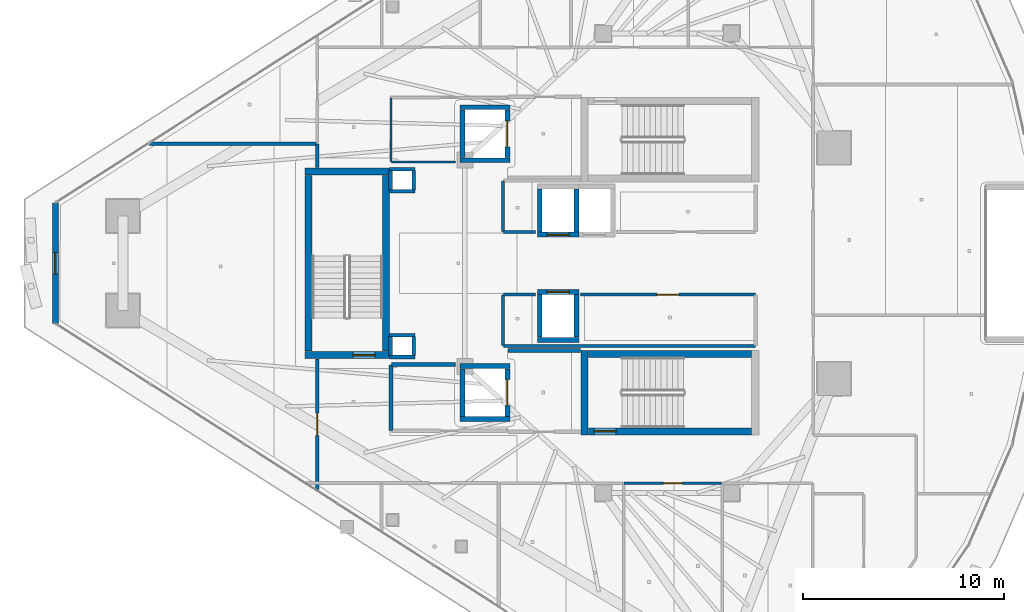
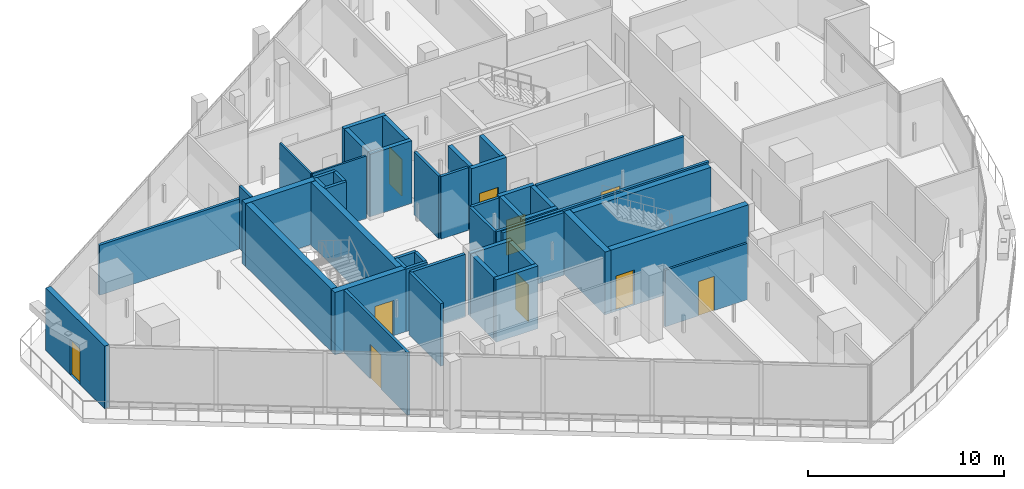
# One storey, part 25 of 36: 46 walls, 10 doors, 10 openings.
"""IFC4 building model written with IfcOpenShell, lengths in metres."""

from ifc_helpers import new_model, si_unit, direction, frame, frame_2d, origin, place, context, subcontext, project, spatial, rectangle, extrude, material, layer, layer_set, type_object, element, fill, save


model = new_model("IFC4")

# Units and contexts
model_context = context("Model", 3, precision=1e-05, world=origin(), true_north=direction((0.0, 1.0)))
body_context = subcontext(model_context, "Body", "Model", "MODEL_VIEW")
ifc_project = project(units=[si_unit("LENGTHUNIT", "METRE"), si_unit("AREAUNIT", "SQUARE_METRE"), si_unit("VOLUMEUNIT", "CUBIC_METRE"), si_unit("PLANEANGLEUNIT", "RADIAN"), si_unit("MASSUNIT", "GRAM", prefix="KILO")], contexts=[model_context])

# Site, building, storey
site_placement = place(None, origin())
site = spatial("IfcSite", under=ifc_project, at=site_placement, CompositionType="ELEMENT")
building_placement = place(site_placement, origin())
building = spatial("IfcBuilding", under=site, at=building_placement, Name="Qorvath Tower", CompositionType="ELEMENT")
storey_placement = place(building_placement, frame((0.0, 0.0, 272.39990234375)))
storey = spatial("IfcBuildingStorey", under=building, at=storey_placement, Name="L63", CompositionType="ELEMENT", Elevation=272.39990234375)

# Walls
ifc_material_1 = material(Name="Gypsum shaftliner on steel studs", Category="steel")
ifc_layer_1 = layer(ifc_material_1, 0.179931640625)
ifc_layer_set_1 = layer_set([ifc_layer_1], Name="FW-LOBBY")
wall_type_1 = type_object("IfcWallType", Name="FW-LOBBY", PredefinedType="PARTITIONING", material=ifc_layer_set_1)
for number, where, z_axis, x_axis, name in (
    (1, (-32.989990234375, 3.594970703125, 0.0), (0.0, 0.0, 1.0), (-1.0, 0.0, 0.0), "MEP Riser Shaft Enclosure Wall N-L63-S"),
    (2, (-34.260009765625, 4.675048828125, 0.0), (0.0, 0.0, 1.0), (1.0, 0.0, 0.0), "MEP Riser Shaft Enclosure Wall N-L63-N"),
):
    element("IfcWall", number, at=place(storey_placement, frame(where, z_axis=z_axis, x_axis=x_axis)), inside=storey, type_object=wall_type_1, Name=name, PredefinedType="PARTITIONING", context=body_context, shape_type="SweptSolid", body=[
        extrude(rectangle(XDim=1.27001953125, YDim=0.179931640625, at=frame_2d((0.635009765625, 0.0))), origin(), (0.0, 0.0, 1.0), 3.91015625),
    ])
for number, where, z_axis, x_axis, name in (
    (3, (-34.205078125, 3.659912109375, 0.0), (0.0, 0.0, 1.0), (0.0, 1.0, 0.0), "MEP Riser Shaft Enclosure Wall N-L63-W"),
    (4, (-33.044921875, 4.610107421875, 0.0), (0.0, 0.0, 1.0), (0.0, -1.0, 0.0), "MEP Riser Shaft Enclosure Wall N-L63-E"),
):
    element("IfcWall", number, at=place(storey_placement, frame(where, z_axis=z_axis, x_axis=x_axis)), inside=storey, type_object=wall_type_1, Name=name, PredefinedType="PARTITIONING", context=body_context, shape_type="SweptSolid", body=[
        extrude(rectangle(XDim=0.9501953125, YDim=0.179931640625, at=frame_2d((0.47509765625, 0.0))), origin(), (0.0, 0.0, 1.0), 3.91015625),
    ])
for number, where, z_axis, x_axis, name in (
    (5, (-32.989990234375, -4.675048828125, 0.0), (0.0, 0.0, 1.0), (-1.0, 0.0, 0.0), "MEP Riser Shaft Enclosure Wall S-L63-S"),
    (6, (-34.260009765625, -3.594970703125, 0.0), (0.0, 0.0, 1.0), (1.0, 0.0, 0.0), "MEP Riser Shaft Enclosure Wall S-L63-N"),
):
    element("IfcWall", number, at=place(storey_placement, frame(where, z_axis=z_axis, x_axis=x_axis)), inside=storey, type_object=wall_type_1, Name=name, PredefinedType="PARTITIONING", context=body_context, shape_type="SweptSolid", body=[
        extrude(rectangle(XDim=1.27001953125, YDim=0.179931640625, at=frame_2d((0.635009765625, 0.0))), origin(), (0.0, 0.0, 1.0), 3.91015625),
    ])
for number, where, z_axis, x_axis, name in (
    (7, (-34.205078125, -4.610107421875, 0.0), (0.0, 0.0, 1.0), (0.0, 1.0, 0.0), "MEP Riser Shaft Enclosure Wall S-L63-W"),
    (8, (-33.044921875, -3.659912109375, 0.0), (0.0, 0.0, 1.0), (0.0, -1.0, 0.0), "MEP Riser Shaft Enclosure Wall S-L63-E"),
):
    element("IfcWall", number, at=place(storey_placement, frame(where, z_axis=z_axis, x_axis=x_axis)), inside=storey, type_object=wall_type_1, Name=name, PredefinedType="PARTITIONING", context=body_context, shape_type="SweptSolid", body=[
        extrude(rectangle(XDim=0.9501953125, YDim=0.179931640625, at=frame_2d((0.47509765625, 0.0))), origin(), (0.0, 0.0, 1.0), 3.91015625),
    ])
wall_1_placement = place(storey_placement, frame((-24.73291015625, -4.35009765625, 0.0), z_axis=(0.0, 0.0, 1.0), x_axis=(-1.0, 0.0, 0.0)))
element("IfcWall", 9, at=wall_1_placement, inside=storey, type_object=wall_type_1, Name="Interior Partition IW-T1-L63-004", PredefinedType="PARTITIONING", context=body_context, shape_type="SweptSolid", body=[
    extrude(rectangle(XDim=3.6220703125, YDim=0.179931640625, at=frame_2d((1.81103515625, 0.0))), origin(), (0.0, 0.0, 1.0), 3.91015625),
])
wall_2_placement = place(storey_placement, frame((-30.965087890625, -5.050048828125, 0.0), z_axis=(0.0, 0.0, 1.0), x_axis=(-1.0, 0.0, 0.0)))
element("IfcWall", 10, at=wall_2_placement, inside=storey, type_object=wall_type_1, Name="Interior Partition IW-T1-L63-018", PredefinedType="PARTITIONING", context=body_context, shape_type="SweptSolid", body=[
    extrude(rectangle(XDim=3.189697265625, YDim=0.179931640625, at=frame_2d((1.5947265625, 0.0))), origin(), (0.0, 0.0, 1.0), 3.91015625),
])
wall_3_placement = place(storey_placement, frame((-34.179931640625, -5.074951171875, 0.0), z_axis=(0.0, 0.0, 1.0), x_axis=(0.0, -1.0, 0.0)))
element("IfcWall", 11, at=wall_3_placement, inside=storey, type_object=wall_type_1, Name="Interior Partition IW-T1-L63-019", PredefinedType="PARTITIONING", context=body_context, shape_type="SweptSolid", body=[
    extrude(rectangle(XDim=3.250244140625, YDim=0.179931640625, at=frame_2d((1.625, 0.0))), origin(), (0.0, 0.0, 1.0), 3.91015625),
])
ifc_material_2 = material(Name="Double acoustic gypsum board on steel studs", Category="steel")
ifc_layer_2 = layer(ifc_material_2, 0.159912109375)
ifc_layer_set_2 = layer_set([ifc_layer_2], Name="IW-ACOUSTIC-160")
wall_type_2 = type_object("IfcWallType", Name="IW-ACOUSTIC-160", PredefinedType="PARTITIONING", material=ifc_layer_set_2)
wall_4_placement = place(storey_placement, frame((-28.60009765625, 4.09521484375, 0.0), z_axis=(0.0, 0.0, 1.0), x_axis=(0.0, -1.0, 0.0)))
element("IfcWall", 12, at=wall_4_placement, inside=storey, type_object=wall_type_2, Name="Interior Partition IW-T1-L63-008", PredefinedType="PARTITIONING", context=body_context, shape_type="SweptSolid", body=[
    extrude(rectangle(XDim=2.510009765625, YDim=0.159912109375, at=frame_2d((1.2548828125, 0.0))), origin(), (0.0, 0.0, 1.0), 3.91015625),
])
wall_5_placement = place(storey_placement, frame((-28.5751953125, 1.56005859375, 0.0), z_axis=(0.0, 0.0, 1.0), x_axis=(1.0, 0.0, 0.0)))
element("IfcWall", 13, at=wall_5_placement, inside=storey, type_object=wall_type_2, Name="Interior Partition IW-T1-L63-009", PredefinedType="PARTITIONING", context=body_context, shape_type="SweptSolid", body=[
    extrude(rectangle(XDim=1.609130859375, YDim=0.159912109375, at=frame_2d((0.8046875, 0.0))), origin(), (0.0, 0.0, 1.0), 3.91015625),
])
wall_6_placement = place(storey_placement, frame((-28.60009765625, -1.585205078125, 0.0), z_axis=(0.0, 0.0, 1.0), x_axis=(0.0, -1.0, 0.0)))
element("IfcWall", 14, at=wall_6_placement, inside=storey, type_object=wall_type_2, Name="Interior Partition IW-T1-L63-013", PredefinedType="PARTITIONING", context=body_context, shape_type="SweptSolid", body=[
    extrude(rectangle(XDim=2.510009765625, YDim=0.159912109375, at=frame_2d((1.2548828125, 0.0))), origin(), (0.0, 0.0, 1.0), 3.91015625),
])
wall_7_placement = place(storey_placement, frame((-28.5751953125, -4.1201171875, 0.0), z_axis=(0.0, 0.0, 1.0), x_axis=(1.0, 0.0, 0.0)))
element("IfcWall", 15, at=wall_7_placement, inside=storey, type_object=wall_type_2, Name="Interior Partition IW-T1-L63-014", PredefinedType="PARTITIONING", context=body_context, shape_type="SweptSolid", body=[
    extrude(rectangle(XDim=12.55029296875, YDim=0.159912109375, at=frame_2d((6.275146484375, 0.0))), origin(), (0.0, 0.0, 1.0), 3.91015625),
])

# Wall, opening, door
wall_8_placement = place(storey_placement, frame((-16.02490234375, -1.56005859375, 0.0), z_axis=(0.0, 0.0, 1.0), x_axis=(-1.0, 0.0, 0.0)))
wall_8 = element("IfcWall", 16, at=wall_8_placement, inside=storey, type_object=wall_type_2, Name="Interior Partition IW-T1-L63-016", PredefinedType="PARTITIONING", context=body_context, shape_type="SweptSolid", body=[
    extrude(rectangle(XDim=8.708984375, YDim=0.159912109375, at=frame_2d((4.3544921875, 0.0))), origin(), (0.0, 0.0, 1.0), 3.91015625),
])
opening_1_placement = place(wall_8_placement, frame((3.804443359375, 0.0, 0.0)))
opening_1 = element("IfcOpeningElement", 17, at=opening_1_placement, cuts=wall_8, Name="Opening D-T1-L63-05", PredefinedType="OPENING", context=body_context, shape_type="SweptSolid", body=[
    extrude(rectangle(XDim=1.10009765625, YDim=2.14990234375, at=frame_2d((0.550048828125, 1.074951171875))), frame((0.0, 0.08984375, 0.0), z_axis=(0.0, -1.0, 0.0), x_axis=(1.0, 0.0, 0.0)), (0.0, 0.0, 1.0), 0.179931640625),
])
ifc_material_3 = material(Name="Anodised aluminium acoustic framed glass", Category="aluminium")
door_type_1 = type_object("IfcDoorType", Name="D-03", OperationType="NOTDEFINED", PredefinedType="DOOR", material=ifc_material_3)
door_1_placement = place(opening_1_placement, origin())
door_1 = element("IfcDoor", 18, at=door_1_placement, inside=storey, type_object=door_type_1, Name="L63-RCS South Executive Boardroom Door D-T1-L63-05", OperationType="SINGLE_SWING_LEFT", OverallHeight=2.14990234375, OverallWidth=1.10009765625, PredefinedType="DOOR", context=body_context, shape_type="SweptSolid", body=[
    extrude(rectangle(XDim=1.10009765625, YDim=2.14990234375, at=frame_2d((0.550048828125, 1.074951171875))), frame((0.0, 0.02490234375, 0.0), z_axis=(0.0, -1.0, 0.0), x_axis=(1.0, 0.0, 0.0)), (0.0, 0.0, 1.0), 0.050048828125),
])
fill(opening_1, door_1)

# Wall
wall_9_placement = place(storey_placement, frame((-26.966064453125, -1.56005859375, 0.0), z_axis=(0.0, 0.0, 1.0), x_axis=(-1.0, 0.0, 0.0)))
element("IfcWall", 19, at=wall_9_placement, inside=storey, type_object=wall_type_2, Name="Interior Partition IW-T1-L63-017", PredefinedType="PARTITIONING", context=body_context, shape_type="SweptSolid", body=[
    extrude(rectangle(XDim=1.609130859375, YDim=0.159912109375, at=frame_2d((0.8046875, 0.0))), origin(), (0.0, 0.0, 1.0), 3.91015625),
])

# Wall, opening, door
wall_10_placement = place(storey_placement, frame((-37.85791015625, -11.265380859375, 0.0), z_axis=(0.0, 0.0, 1.0), x_axis=(0.0, 1.0, 0.0)))
wall_10 = element("IfcWall", 20, at=wall_10_placement, inside=storey, type_object=wall_type_2, Name="Interior Partition IW-T1-L63-054", PredefinedType="PARTITIONING", context=body_context, shape_type="SweptSolid", body=[
    extrude(rectangle(XDim=6.482177734375, YDim=0.159912109375, at=frame_2d((3.2412109375, 0.0))), origin(), (0.0, 0.0, 1.0), 3.91015625),
])
opening_2_placement = place(wall_10_placement, frame((2.691162109375, 0.0, 0.0)))
opening_2 = element("IfcOpeningElement", 21, at=opening_2_placement, cuts=wall_10, Name="Opening D-T1-L63-19", PredefinedType="OPENING", context=body_context, shape_type="SweptSolid", body=[
    extrude(rectangle(XDim=1.10009765625, YDim=2.14990234375, at=frame_2d((0.550048828125, 1.074951171875))), frame((0.0, 0.08984375, 0.0), z_axis=(0.0, -1.0, 0.0), x_axis=(1.0, 0.0, 0.0)), (0.0, 0.0, 1.0), 0.179931640625),
])
door_2_placement = place(opening_2_placement, origin())
door_2 = element("IfcDoor", 22, at=door_2_placement, inside=storey, type_object=door_type_1, Name="L63-13 Team Project Office Door D-T1-L63-19", OperationType="SINGLE_SWING_LEFT", OverallHeight=2.14990234375, OverallWidth=1.10009765625, PredefinedType="DOOR", context=body_context, shape_type="SweptSolid", body=[
    extrude(rectangle(XDim=1.10009765625, YDim=2.14990234375, at=frame_2d((0.550048828125, 1.074951171875))), frame((0.0, 0.02490234375, 0.0), z_axis=(0.0, -1.0, 0.0), x_axis=(1.0, 0.0, 0.0)), (0.0, 0.0, 1.0), 0.050048828125),
])
fill(opening_2, door_2)

# Walls
wall_11_placement = place(storey_placement, frame((-37.85791015625, 4.783203125, 0.0), z_axis=(0.0, 0.0, 1.0), x_axis=(0.0, 1.0, 0.0)))
element("IfcWall", 23, at=wall_11_placement, inside=storey, type_object=wall_type_2, Name="Interior Partition IW-T1-L63-055", PredefinedType="PARTITIONING", context=body_context, shape_type="SweptSolid", body=[
    extrude(rectangle(XDim=1.149658203125, YDim=0.159912109375, at=frame_2d((0.57470703125, 0.0))), origin(), (0.0, 0.0, 1.0), 3.91015625),
])
wall_12_placement = place(storey_placement, frame((-37.8828125, 5.957763671875, 0.0), z_axis=(0.0, 0.0, 1.0), x_axis=(-1.0, 0.0, 0.0)))
element("IfcWall", 24, at=wall_12_placement, inside=storey, type_object=wall_type_2, Name="Interior Partition IW-T1-L63-056", PredefinedType="PARTITIONING", context=body_context, shape_type="SweptSolid", body=[
    extrude(rectangle(XDim=8.32470703125, YDim=0.159912109375, at=frame_2d((4.162353515625, 0.0))), origin(), (0.0, 0.0, 1.0), 3.130126953125),
])

# Wall, opening, door
ifc_material_4 = material(Name="Gypsum board on metal studs with mineral wool", Category="gypsum")
ifc_layer_3 = layer(ifc_material_4, 0.125)
ifc_layer_set_3 = layer_set([ifc_layer_3], Name="IW-PART-125")
wall_type_3 = type_object("IfcWallType", Name="IW-PART-125", PredefinedType="PARTITIONING", material=ifc_layer_set_3)
wall_13_placement = place(storey_placement, frame((-17.700927734375, -10.9580078125, 0.0), z_axis=(0.0, 0.0, 1.0), x_axis=(-1.0, 0.0, 0.0)))
wall_13 = element("IfcWall", 25, at=wall_13_placement, inside=storey, type_object=wall_type_3, Name="Interior Partition IW-T1-L63-035", PredefinedType="PARTITIONING", context=body_context, shape_type="SweptSolid", body=[
    extrude(rectangle(XDim=4.853271484375, YDim=0.125, at=frame_2d((2.4267578125, 0.0))), origin(), (0.0, 0.0, 1.0), 3.529052734375),
])
opening_3_placement = place(wall_13_placement, frame((1.95166015625, 0.0, 0.0)))
opening_3 = element("IfcOpeningElement", 26, at=opening_3_placement, cuts=wall_13, Name="Opening D-T1-L63-13", PredefinedType="OPENING", context=body_context, shape_type="SweptSolid", body=[
    extrude(rectangle(XDim=0.949951171875, YDim=2.14990234375, at=frame_2d((0.47509765625, 1.074951171875))), frame((0.0, 0.072509765625, 0.0), z_axis=(0.0, -1.0, 0.0), x_axis=(1.0, 0.0, 0.0)), (0.0, 0.0, 1.0), 0.14501953125),
])
ifc_material_5 = material(Name="Solid-core American white oak veneer", Category="wood")
door_type_2 = type_object("IfcDoorType", Name="D-01", OperationType="NOTDEFINED", PredefinedType="DOOR", material=ifc_material_5)
door_3_placement = place(opening_3_placement, origin())
door_3 = element("IfcDoor", 27, at=door_3_placement, inside=storey, type_object=door_type_2, Name="L63-07 Staff Wellness Studio Door D-T1-L63-13", OperationType="SINGLE_SWING_LEFT", OverallHeight=2.14990234375, OverallWidth=0.949951171875, PredefinedType="DOOR", context=body_context, shape_type="SweptSolid", body=[
    extrude(rectangle(XDim=0.949951171875, YDim=2.14990234375, at=frame_2d((0.47509765625, 1.074951171875))), frame((0.0, 0.02490234375, 0.0), z_axis=(0.0, -1.0, 0.0), x_axis=(1.0, 0.0, 0.0)), (0.0, 0.0, 1.0), 0.050048828125),
])
fill(opening_3, door_3)

# Walls
ifc_material_6 = material(Name="Moisture-resistant cement board on metal studs", Category="gypsum")
ifc_layer_4 = layer(ifc_material_6, 0.110107421875)
ifc_layer_set_4 = layer_set([ifc_layer_4], Name="IW-WC-110")
wall_type_4 = type_object("IfcWallType", Name="IW-WC-110", PredefinedType="PARTITIONING", material=ifc_layer_set_4)
wall_14_placement = place(storey_placement, frame((-34.179931640625, 8.22509765625, 0.0), z_axis=(0.0, 0.0, 1.0), x_axis=(0.0, -1.0, 0.0)))
element("IfcWall", 28, at=wall_14_placement, inside=storey, type_object=wall_type_4, Name="Interior Partition IW-T1-L63-005", PredefinedType="PARTITIONING", context=body_context, shape_type="SweptSolid", body=[
    extrude(rectangle(XDim=3.150146484375, YDim=0.110107421875, at=frame_2d((1.5751953125, 0.0))), origin(), (0.0, 0.0, 1.0), 3.91015625),
])
wall_15_placement = place(storey_placement, frame((-34.15478515625, 5.050048828125, 0.0), z_axis=(0.0, 0.0, 1.0), x_axis=(1.0, 0.0, 0.0)))
element("IfcWall", 29, at=wall_15_placement, inside=storey, type_object=wall_type_4, Name="Interior Partition IW-T1-L63-006", PredefinedType="PARTITIONING", context=body_context, shape_type="SweptSolid", body=[
    extrude(rectangle(XDim=3.189697265625, YDim=0.110107421875, at=frame_2d((1.5947265625, 0.0))), origin(), (0.0, 0.0, 1.0), 3.91015625),
])
ifc_material_7 = material(Name="Concrete C60/75", Category="concrete")
ifc_layer_5 = layer(ifc_material_7, 0.260009765625)
ifc_layer_set_5 = layer_set([ifc_layer_5], Name="SW-SHAFT")
wall_type_5 = type_object("IfcWallType", Name="SW-SHAFT", PredefinedType="SHEAR", material=ifc_layer_set_5)
for number, where, z_axis, x_axis, name in (
    (30, (-28.260009765625, 5.1298828125, 0.0), (0.0, 0.0, 1.0), (-1.0, 0.0, 0.0), "Hoistway Wall FSAE-1 L63 S"),
    (31, (-30.739990234375, 7.77001953125, 0.0), (0.0, 0.0, 1.0), (1.0, 0.0, 0.0), "Hoistway Wall FSAE-1 L63 N"),
):
    element("IfcWall", number, at=place(storey_placement, frame(where, z_axis=z_axis, x_axis=x_axis)), inside=storey, type_object=wall_type_5, Name=name, PredefinedType="SHEAR", context=body_context, shape_type="SweptSolid", body=[
        extrude(rectangle(XDim=2.47998046875, YDim=0.239990234375, at=frame_2d((1.239990234375, 0.0))), origin(), (0.0, 0.0, 1.0), 3.91015625),
    ])
wall_16_placement = place(storey_placement, frame((-30.6201171875, 5.261962890625, 0.0), z_axis=(0.0, 0.0, 1.0), x_axis=(0.0, 1.0, 0.0)))
element("IfcWall", 32, at=wall_16_placement, inside=storey, type_object=wall_type_5, Name="Hoistway Wall FSAE-1 L63 W", PredefinedType="SHEAR", context=body_context, shape_type="SweptSolid", body=[
    extrude(rectangle(XDim=2.3759765625, YDim=0.239990234375, at=frame_2d((1.18798828125, 0.0))), origin(), (0.0, 0.0, 1.0), 3.91015625),
])

# Wall, opening, door
wall_17_placement = place(storey_placement, frame((-28.3798828125, 7.637939453125, 0.0), z_axis=(0.0, 0.0, 1.0), x_axis=(0.0, -1.0, 0.0)))
wall_17 = element("IfcWall", 33, at=wall_17_placement, inside=storey, type_object=wall_type_5, Name="Hoistway Wall FSAE-1 L63 E", PredefinedType="SHEAR", context=body_context, shape_type="SweptSolid", body=[
    extrude(rectangle(XDim=2.3759765625, YDim=0.239990234375, at=frame_2d((1.18798828125, 0.0))), origin(), (0.0, 0.0, 1.0), 3.91015625),
])
opening_4_placement = place(wall_17_placement, frame((0.537841796875, 0.0, 0.0)))
opening_4 = element("IfcOpeningElement", 34, at=opening_4_placement, cuts=wall_17, Name="Opening LD-FSAE-1-L63", PredefinedType="OPENING", context=body_context, shape_type="SweptSolid", body=[
    extrude(rectangle(XDim=1.300048828125, YDim=2.300048828125, at=frame_2d((0.64990234375, 1.14990234375))), frame((0.0, 0.1298828125, 0.0), z_axis=(0.0, -1.0, 0.0), x_axis=(1.0, 0.0, 0.0)), (0.0, 0.0, 1.0), 0.260009765625),
])
ifc_material_8 = material(Name="Brushed stainless steel AISI 316", Category="steel")
door_type_3 = type_object("IfcDoorType", Name="LD-02", OperationType="NOTDEFINED", PredefinedType="DOOR", material=ifc_material_8)
door_4_placement = place(opening_4_placement, origin())
door_4 = element("IfcDoor", 35, at=door_4_placement, inside=storey, type_object=door_type_3, Name="Elevator Landing Sliding Door LD-FSAE-1-L63", OperationType="DOUBLE_DOOR_SLIDING", OverallHeight=2.300048828125, OverallWidth=1.300048828125, PredefinedType="DOOR", context=body_context, shape_type="SweptSolid", body=[
    extrude(rectangle(XDim=1.300048828125, YDim=2.300048828125, at=frame_2d((0.64990234375, 1.14990234375))), frame((0.0, 0.02490234375, 0.0), z_axis=(0.0, -1.0, 0.0), x_axis=(1.0, 0.0, 0.0)), (0.0, 0.0, 1.0), 0.050048828125),
])
fill(opening_4, door_4)

# Walls
for number, where, z_axis, x_axis, name in (
    (36, (-28.260009765625, -7.77001953125, 0.0), (0.0, 0.0, 1.0), (-1.0, 0.0, 0.0), "Hoistway Wall FSAE-2 L63 S"),
    (37, (-30.739990234375, -5.1298828125, 0.0), (0.0, 0.0, 1.0), (1.0, 0.0, 0.0), "Hoistway Wall FSAE-2 L63 N"),
):
    element("IfcWall", number, at=place(storey_placement, frame(where, z_axis=z_axis, x_axis=x_axis)), inside=storey, type_object=wall_type_5, Name=name, PredefinedType="SHEAR", context=body_context, shape_type="SweptSolid", body=[
        extrude(rectangle(XDim=2.47998046875, YDim=0.239990234375, at=frame_2d((1.239990234375, 0.0))), origin(), (0.0, 0.0, 1.0), 3.91015625),
    ])
wall_18_placement = place(storey_placement, frame((-30.6201171875, -7.637939453125, 0.0), z_axis=(0.0, 0.0, 1.0), x_axis=(0.0, 1.0, 0.0)))
element("IfcWall", 38, at=wall_18_placement, inside=storey, type_object=wall_type_5, Name="Hoistway Wall FSAE-2 L63 W", PredefinedType="SHEAR", context=body_context, shape_type="SweptSolid", body=[
    extrude(rectangle(XDim=2.3759765625, YDim=0.239990234375, at=frame_2d((1.18798828125, 0.0))), origin(), (0.0, 0.0, 1.0), 3.91015625),
])

# Wall, opening, door
wall_19_placement = place(storey_placement, frame((-28.3798828125, -5.261962890625, 0.0), z_axis=(0.0, 0.0, 1.0), x_axis=(0.0, -1.0, 0.0)))
wall_19 = element("IfcWall", 39, at=wall_19_placement, inside=storey, type_object=wall_type_5, Name="Hoistway Wall FSAE-2 L63 E", PredefinedType="SHEAR", context=body_context, shape_type="SweptSolid", body=[
    extrude(rectangle(XDim=2.3759765625, YDim=0.239990234375, at=frame_2d((1.18798828125, 0.0))), origin(), (0.0, 0.0, 1.0), 3.91015625),
])
opening_5_placement = place(wall_19_placement, frame((0.5380859375, 0.0, 0.0)))
opening_5 = element("IfcOpeningElement", 40, at=opening_5_placement, cuts=wall_19, Name="Opening LD-FSAE-2-L63", PredefinedType="OPENING", context=body_context, shape_type="SweptSolid", body=[
    extrude(rectangle(XDim=1.300048828125, YDim=2.300048828125, at=frame_2d((0.64990234375, 1.14990234375))), frame((0.0, 0.1298828125, 0.0), z_axis=(0.0, -1.0, 0.0), x_axis=(1.0, 0.0, 0.0)), (0.0, 0.0, 1.0), 0.260009765625),
])
door_5_placement = place(opening_5_placement, origin())
door_5 = element("IfcDoor", 41, at=door_5_placement, inside=storey, type_object=door_type_3, Name="Elevator Landing Sliding Door LD-FSAE-2-L63", OperationType="DOUBLE_DOOR_SLIDING", OverallHeight=2.300048828125, OverallWidth=1.300048828125, PredefinedType="DOOR", context=body_context, shape_type="SweptSolid", body=[
    extrude(rectangle(XDim=1.300048828125, YDim=2.300048828125, at=frame_2d((0.64990234375, 1.14990234375))), frame((0.0, 0.02490234375, 0.0), z_axis=(0.0, -1.0, 0.0), x_axis=(1.0, 0.0, 0.0)), (0.0, 0.0, 1.0), 0.050048828125),
])
fill(opening_5, door_5)

wall_20_placement = place(storey_placement, frame((-24.81005859375, 1.429931640625, 0.0), z_axis=(0.0, 0.0, 1.0), x_axis=(-1.0, 0.0, 0.0)))
wall_20 = element("IfcWall", 42, at=wall_20_placement, inside=storey, type_object=wall_type_5, Name="Hoistway Wall PH-1 L63 S", PredefinedType="SHEAR", context=body_context, shape_type="SweptSolid", body=[
    extrude(rectangle(XDim=2.079833984375, YDim=0.239990234375, at=frame_2d((1.0400390625, 0.0))), origin(), (0.0, 0.0, 1.0), 3.91015625),
])
opening_6_placement = place(wall_20_placement, frame((0.489990234375, 0.0, 0.0)))
opening_6 = element("IfcOpeningElement", 43, at=opening_6_placement, cuts=wall_20, Name="Opening LD-PH-1-L63", PredefinedType="OPENING", context=body_context, shape_type="SweptSolid", body=[
    extrude(rectangle(XDim=1.10009765625, YDim=2.199951171875, at=frame_2d((0.550048828125, 1.10009765625))), frame((0.0, 0.1298828125, 0.0), z_axis=(0.0, -1.0, 0.0), x_axis=(1.0, 0.0, 0.0)), (0.0, 0.0, 1.0), 0.260009765625),
])
ifc_material_9 = material(Name="Brushed stainless steel AISI 316", Category="steel")
door_type_4 = type_object("IfcDoorType", Name="LD-01", OperationType="NOTDEFINED", PredefinedType="DOOR", material=ifc_material_9)
door_6_placement = place(opening_6_placement, origin())
door_6 = element("IfcDoor", 44, at=door_6_placement, inside=storey, type_object=door_type_4, Name="Elevator Landing Sliding Door LD-PH-1-L63", OperationType="DOUBLE_DOOR_SLIDING", OverallHeight=2.199951171875, OverallWidth=1.10009765625, PredefinedType="DOOR", context=body_context, shape_type="SweptSolid", body=[
    extrude(rectangle(XDim=1.10009765625, YDim=2.199951171875, at=frame_2d((0.550048828125, 1.10009765625))), frame((0.0, 0.02490234375, 0.0), z_axis=(0.0, -1.0, 0.0), x_axis=(1.0, 0.0, 0.0)), (0.0, 0.0, 1.0), 0.050048828125),
])
fill(opening_6, door_6)

# Walls
for number, where, z_axis, x_axis, name in (
    (45, (-26.77001953125, 1.56201171875, 0.0), (0.0, 0.0, 1.0), (0.0, 1.0, 0.0), "Hoistway Wall PH-1 L63 W"),
    (46, (-24.929931640625, 3.68798828125, 0.0), (0.0, 0.0, 1.0), (0.0, -1.0, 0.0), "Hoistway Wall PH-1 L63 E"),
):
    element("IfcWall", number, at=place(storey_placement, frame(where, z_axis=z_axis, x_axis=x_axis)), inside=storey, type_object=wall_type_5, Name=name, PredefinedType="SHEAR", context=body_context, shape_type="SweptSolid", body=[
        extrude(rectangle(XDim=2.1259765625, YDim=0.239990234375, at=frame_2d((1.06298828125, 0.0))), origin(), (0.0, 0.0, 1.0), 3.91015625),
    ])
wall_21_placement = place(storey_placement, frame((-24.81005859375, -3.820068359375, 0.0), z_axis=(0.0, 0.0, 1.0), x_axis=(-1.0, 0.0, 0.0)))
element("IfcWall", 47, at=wall_21_placement, inside=storey, type_object=wall_type_5, Name="Hoistway Wall PH-3 L63 S", PredefinedType="SHEAR", context=body_context, shape_type="SweptSolid", body=[
    extrude(rectangle(XDim=2.079833984375, YDim=0.239990234375, at=frame_2d((1.0400390625, 0.0))), origin(), (0.0, 0.0, 1.0), 3.91015625),
])

# Wall, opening, door
wall_22_placement = place(storey_placement, frame((-26.889892578125, -1.429931640625, 0.0), z_axis=(0.0, 0.0, 1.0), x_axis=(1.0, 0.0, 0.0)))
wall_22 = element("IfcWall", 48, at=wall_22_placement, inside=storey, type_object=wall_type_5, Name="Hoistway Wall PH-3 L63 N", PredefinedType="SHEAR", context=body_context, shape_type="SweptSolid", body=[
    extrude(rectangle(XDim=2.079833984375, YDim=0.239990234375, at=frame_2d((1.0400390625, 0.0))), origin(), (0.0, 0.0, 1.0), 3.91015625),
])
opening_7_placement = place(wall_22_placement, frame((0.48974609375, 0.0, 0.0)))
opening_7 = element("IfcOpeningElement", 49, at=opening_7_placement, cuts=wall_22, Name="Opening LD-PH-3-L63", PredefinedType="OPENING", context=body_context, shape_type="SweptSolid", body=[
    extrude(rectangle(XDim=1.10009765625, YDim=2.199951171875, at=frame_2d((0.550048828125, 1.10009765625))), frame((0.0, 0.1298828125, 0.0), z_axis=(0.0, -1.0, 0.0), x_axis=(1.0, 0.0, 0.0)), (0.0, 0.0, 1.0), 0.260009765625),
])
door_7_placement = place(opening_7_placement, origin())
door_7 = element("IfcDoor", 50, at=door_7_placement, inside=storey, type_object=door_type_4, Name="Elevator Landing Sliding Door LD-PH-3-L63", OperationType="DOUBLE_DOOR_SLIDING", OverallHeight=2.199951171875, OverallWidth=1.10009765625, PredefinedType="DOOR", context=body_context, shape_type="SweptSolid", body=[
    extrude(rectangle(XDim=1.10009765625, YDim=2.199951171875, at=frame_2d((0.550048828125, 1.10009765625))), frame((0.0, 0.02490234375, 0.0), z_axis=(0.0, -1.0, 0.0), x_axis=(1.0, 0.0, 0.0)), (0.0, 0.0, 1.0), 0.050048828125),
])
fill(opening_7, door_7)

# Walls
for number, where, z_axis, x_axis, name in (
    (51, (-26.77001953125, -3.68798828125, 0.0), (0.0, 0.0, 1.0), (0.0, 1.0, 0.0), "Hoistway Wall PH-3 L63 W"),
    (52, (-24.929931640625, -1.56201171875, 0.0), (0.0, 0.0, 1.0), (0.0, -1.0, 0.0), "Hoistway Wall PH-3 L63 E"),
):
    element("IfcWall", number, at=place(storey_placement, frame(where, z_axis=z_axis, x_axis=x_axis)), inside=storey, type_object=wall_type_5, Name=name, PredefinedType="SHEAR", context=body_context, shape_type="SweptSolid", body=[
        extrude(rectangle(XDim=2.1259765625, YDim=0.239990234375, at=frame_2d((1.06298828125, 0.0))), origin(), (0.0, 0.0, 1.0), 3.91015625),
    ])
ifc_material_10 = material(Name="Concrete C60/75", Category="concrete")
ifc_layer_6 = layer(ifc_material_10, 0.35009765625)
ifc_layer_set_6 = layer_set([ifc_layer_6], Name="SW-STAIR")
wall_type_6 = type_object("IfcWallType", Name="SW-STAIR", PredefinedType="SHEAR", material=ifc_layer_set_6)
wall_23_placement = place(storey_placement, frame((-24.52490234375, -4.340087890625, 0.0), z_axis=(0.0, 0.0, 1.0), x_axis=(0.0, -1.0, 0.0)))
element("IfcWall", 53, at=wall_23_placement, inside=storey, type_object=wall_type_6, Name="Stair TS2 Shear Wall L63 NEAR", PredefinedType="SHEAR", context=body_context, shape_type="SweptSolid", body=[
    extrude(rectangle(XDim=4.2099609375, YDim=0.35009765625, at=frame_2d((2.10498046875, 0.0))), origin(), (0.0, 0.0, 1.0), 3.91015625),
])

# Wall, opening, door
wall_24_placement = place(storey_placement, frame((-24.3349609375, -8.375, 0.0), z_axis=(0.0, 0.0, 1.0), x_axis=(1.0, 0.0, 0.0)))
wall_24 = element("IfcWall", 54, at=wall_24_placement, inside=storey, type_object=wall_type_6, Name="Stair TS2 Shear Wall L63 LEFT", PredefinedType="SHEAR", context=body_context, shape_type="SweptSolid", body=[
    extrude(rectangle(XDim=8.119873046875, YDim=0.35009765625, at=frame_2d((4.06005859375, 0.0))), origin(), (0.0, 0.0, 1.0), 3.91015625),
])
opening_8_placement = place(wall_24_placement, frame((0.280029296875, 0.0, 0.0)))
opening_8 = element("IfcOpeningElement", 55, at=opening_8_placement, cuts=wall_24, Name="Opening D-TS2-L63", PredefinedType="OPENING", context=body_context, shape_type="SweptSolid", body=[
    extrude(rectangle(XDim=1.10009765625, YDim=2.199951171875, at=frame_2d((0.550048828125, 1.10009765625))), frame((0.0, 0.18505859375, 0.0), z_axis=(0.0, -1.0, 0.0), x_axis=(1.0, 0.0, 0.0)), (0.0, 0.0, 1.0), 0.3701171875),
])
ifc_material_11 = material(Name="Painted galvanised hollow metal", Category="steel")
door_type_5 = type_object("IfcDoorType", Name="FD-90", OperationType="NOTDEFINED", PredefinedType="DOOR", material=ifc_material_11)
door_8_placement = place(opening_8_placement, origin())
door_8 = element("IfcDoor", 56, at=door_8_placement, inside=storey, type_object=door_type_5, Name="Stair TS2 Fire Door L63", OperationType="SINGLE_SWING_RIGHT", OverallHeight=2.199951171875, OverallWidth=1.10009765625, PredefinedType="DOOR", context=body_context, shape_type="SweptSolid", body=[
    extrude(rectangle(XDim=1.10009765625, YDim=2.199951171875, at=frame_2d((0.550048828125, 1.10009765625))), frame((0.0, 0.02490234375, 0.0), z_axis=(0.0, -1.0, 0.0), x_axis=(1.0, 0.0, 0.0)), (0.0, 0.0, 1.0), 0.050048828125),
])
fill(opening_8, door_8)

# Wall
wall_25_placement = place(storey_placement, frame((-16.215087890625, -4.514892578125, 0.0), z_axis=(0.0, 0.0, 1.0), x_axis=(-1.0, 0.0, 0.0)))
element("IfcWall", 57, at=wall_25_placement, inside=storey, type_object=wall_type_6, Name="Stair TS2 Shear Wall L63 RIGHT", PredefinedType="SHEAR", context=body_context, shape_type="SweptSolid", body=[
    extrude(rectangle(XDim=8.119873046875, YDim=0.35009765625, at=frame_2d((4.06005859375, 0.0))), origin(), (0.0, 0.0, 1.0), 3.91015625),
])

# Wall, opening, door
wall_26_placement = place(storey_placement, frame((-38.4599609375, -4.574951171875, 0.0), z_axis=(0.0, 0.0, 1.0), x_axis=(1.0, 0.0, 0.0)))
wall_26 = element("IfcWall", 58, at=wall_26_placement, inside=storey, type_object=wall_type_6, Name="Stair TS3 Shear Wall L63 NEAR", PredefinedType="SHEAR", context=body_context, shape_type="SweptSolid", body=[
    extrude(rectangle(XDim=4.2099609375, YDim=0.35009765625, at=frame_2d((2.10498046875, 0.0))), origin(), (0.0, 0.0, 1.0), 3.91015625),
])
opening_9_placement = place(wall_26_placement, frame((2.389892578125, 0.0, 0.0)))
opening_9 = element("IfcOpeningElement", 59, at=opening_9_placement, cuts=wall_26, Name="Opening D-TS3-L63", PredefinedType="OPENING", context=body_context, shape_type="SweptSolid", body=[
    extrude(rectangle(XDim=1.10009765625, YDim=2.199951171875, at=frame_2d((0.550048828125, 1.10009765625))), frame((0.0, 0.18505859375, 0.0), z_axis=(0.0, -1.0, 0.0), x_axis=(1.0, 0.0, 0.0)), (0.0, 0.0, 1.0), 0.3701171875),
])
door_9_placement = place(opening_9_placement, origin())
door_9 = element("IfcDoor", 60, at=door_9_placement, inside=storey, type_object=door_type_5, Name="Stair TS3 Fire Door L63", OperationType="SINGLE_SWING_RIGHT", OverallHeight=2.199951171875, OverallWidth=1.10009765625, PredefinedType="DOOR", context=body_context, shape_type="SweptSolid", body=[
    extrude(rectangle(XDim=1.10009765625, YDim=2.199951171875, at=frame_2d((0.550048828125, 1.10009765625))), frame((0.0, 0.02490234375, 0.0), z_axis=(0.0, -1.0, 0.0), x_axis=(1.0, 0.0, 0.0)), (0.0, 0.0, 1.0), 0.050048828125),
])
fill(opening_9, door_9)

# Walls
wall_27_placement = place(storey_placement, frame((-34.25, 4.574951171875, 0.0), z_axis=(0.0, 0.0, 1.0), x_axis=(-1.0, 0.0, 0.0)))
element("IfcWall", 61, at=wall_27_placement, inside=storey, type_object=wall_type_6, Name="Stair TS3 Shear Wall L63 FAR", PredefinedType="SHEAR", context=body_context, shape_type="SweptSolid", body=[
    extrude(rectangle(XDim=4.2099609375, YDim=0.35009765625, at=frame_2d((2.10498046875, 0.0))), origin(), (0.0, 0.0, 1.0), 3.91015625),
])
for number, where, z_axis, x_axis, name in (
    (62, (-34.425048828125, -4.385009765625, 0.0), (0.0, 0.0, 1.0), (0.0, 1.0, 0.0), "Stair TS3 Shear Wall L63 LEFT"),
    (63, (-38.284912109375, 4.385009765625, 0.0), (0.0, 0.0, 1.0), (0.0, -1.0, 0.0), "Stair TS3 Shear Wall L63 RIGHT"),
):
    element("IfcWall", number, at=place(storey_placement, frame(where, z_axis=z_axis, x_axis=x_axis)), inside=storey, type_object=wall_type_6, Name=name, PredefinedType="SHEAR", context=body_context, shape_type="SweptSolid", body=[
        extrude(rectangle(XDim=8.77001953125, YDim=0.35009765625, at=frame_2d((4.385009765625, 0.0))), origin(), (0.0, 0.0, 1.0), 3.91015625),
    ])

# Wall, opening, door
ifc_material_12 = material(Name="Precast concrete C45/55", Category="concrete")
ifc_layer_7 = layer(ifc_material_12, 0.300048828125)
ifc_layer_set_7 = layer_set([ifc_layer_7], Name="WL-EW-LOG-300")
wall_type_7 = type_object("IfcWallType", Name="WL-EW-LOG-300", PredefinedType="SOLIDWALL", material=ifc_layer_set_7)
wall_28_placement = place(storey_placement, frame((-50.90625, -3.005859375, 0.0), z_axis=(0.0, 0.0, 1.0), x_axis=(0.0, 1.0, 0.0)))
wall_28 = element("IfcWall", 64, at=wall_28_placement, inside=storey, type_object=wall_type_7, Name="Tower Precast Loggia Wall L63-1.1", PredefinedType="SOLIDWALL", context=body_context, shape_type="SweptSolid", body=[
    extrude(rectangle(XDim=6.01171875, YDim=0.300048828125, at=frame_2d((3.005859375, 0.0))), origin(), (0.0, 0.0, 1.0), 3.91015625),
])
opening_10_placement = place(wall_28_placement, frame((2.48095703125, 0.0, 0.0)))
opening_10 = element("IfcOpeningElement", 65, at=opening_10_placement, cuts=wall_28, Name="Opening ED-L63-01", PredefinedType="OPENING", context=body_context, shape_type="SweptSolid", body=[
    extrude(rectangle(XDim=1.050048828125, YDim=2.199951171875, at=frame_2d((0.52490234375, 1.10009765625))), frame((0.0, 0.16015625, 0.0), z_axis=(0.0, -1.0, 0.0), x_axis=(1.0, 0.0, 0.0)), (0.0, 0.0, 1.0), 0.320068359375),
])
ifc_material_13 = material(Name="Thermally broken aluminium glazed door", Category="aluminium")
door_type_6 = type_object("IfcDoorType", Name="ED-LOG", OperationType="NOTDEFINED", PredefinedType="DOOR", material=ifc_material_13)
door_10_placement = place(opening_10_placement, origin())
door_10 = element("IfcDoor", 66, at=door_10_placement, inside=storey, type_object=door_type_6, Name="L63 Recessed Loggia Access Door 1", OperationType="SINGLE_SWING_LEFT", OverallHeight=2.199951171875, OverallWidth=1.050048828125, PredefinedType="DOOR", context=body_context, shape_type="SweptSolid", body=[
    extrude(rectangle(XDim=1.050048828125, YDim=2.199951171875, at=frame_2d((0.52490234375, 1.10009765625))), frame((0.0, 0.02490234375, 0.0), z_axis=(0.0, -1.0, 0.0), x_axis=(1.0, 0.0, 0.0)), (0.0, 0.0, 1.0), 0.050048828125),
])
fill(opening_10, door_10)

save(model, "model.ifc")
